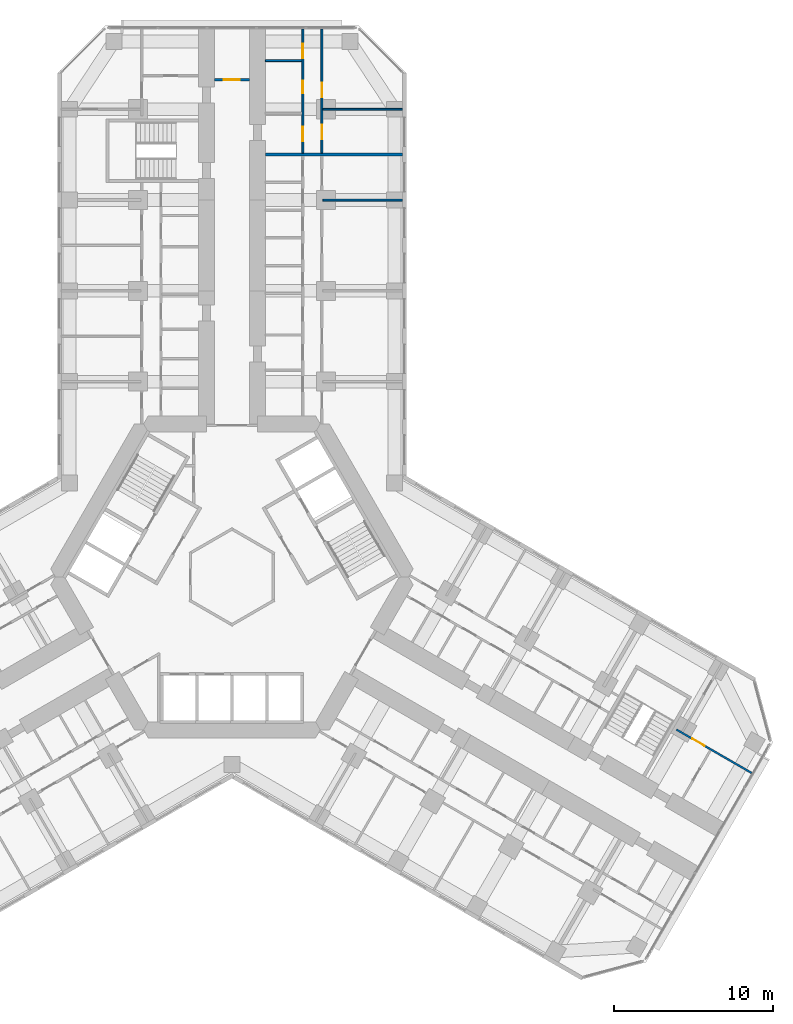
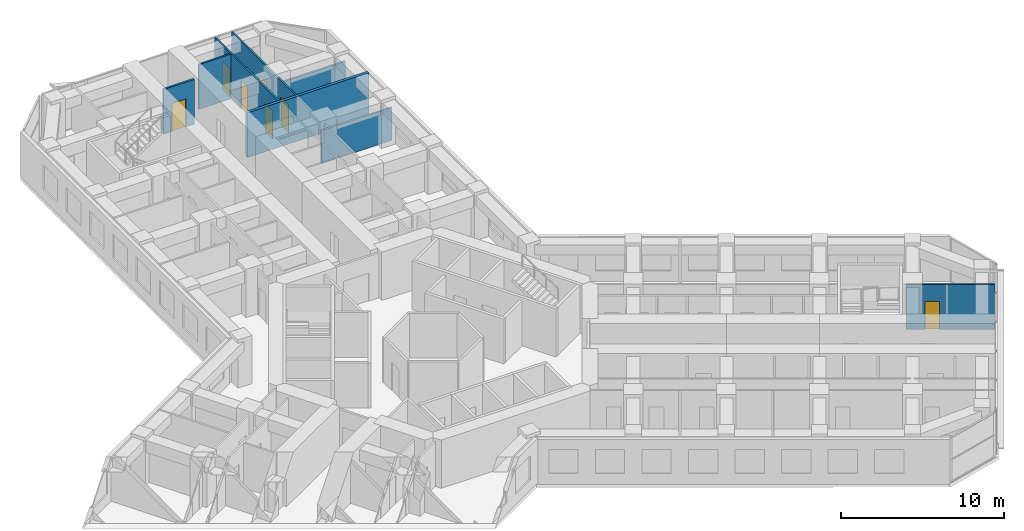
# One storey, part 19 of 21: 8 walls, 7 doors, 7 openings.
"""IFC4 building model written with IfcOpenShell, lengths in metres."""

from ifc_helpers import new_model, si_unit, direction, frame, frame_2d, origin, place, context, subcontext, project, spatial, rectangle, extrude, material, layer, layer_set, type_object, element, fill, save


model = new_model("IFC4")

# Units and contexts
model_context = context("Model", 3, precision=1e-05, world=origin(), true_north=direction((0.0, 1.0)))
body_context = subcontext(model_context, "Body", "Model", "MODEL_VIEW")
ifc_project = project(units=[si_unit("LENGTHUNIT", "METRE"), si_unit("AREAUNIT", "SQUARE_METRE"), si_unit("VOLUMEUNIT", "CUBIC_METRE"), si_unit("PLANEANGLEUNIT", "RADIAN"), si_unit("MASSUNIT", "GRAM", prefix="KILO")], contexts=[model_context])

# Site, building, storey
site_placement = place(None, origin())
site = spatial("IfcSite", under=ifc_project, at=site_placement, CompositionType="ELEMENT")
building_placement = place(site_placement, origin())
building = spatial("IfcBuilding", under=site, at=building_placement, Name="Kosmar Iwan School Tower", CompositionType="ELEMENT")
storey_placement = place(building_placement, frame((0.0, 0.0, 68.199951171875)))
storey = spatial("IfcBuildingStorey", under=building, at=storey_placement, Name="L16", CompositionType="ELEMENT", Elevation=68.199951171875)

# Wall, opening, door
ifc_material_1 = material(Name="Gypsum board on steel studs, fire-rated", Category="steel")
ifc_layer_1 = layer(ifc_material_1, 0.14990234375)
ifc_layer_set_1 = layer_set([ifc_layer_1], Name="Corridor end wall 150")
wall_type_1 = type_object("IfcWallType", Name="Corridor end wall 150", PredefinedType="PARTITIONING", material=ifc_layer_set_1)
wall_1_placement = place(storey_placement, frame((1.10009765625, 31.199951171875, 0.0), z_axis=(0.0, 0.0, 1.0), x_axis=(-1.0, 0.0, 0.0)))
wall_1 = element("IfcWall", 1, at=wall_1_placement, inside=storey, type_object=wall_type_1, Name="Partition L16-A-CE", PredefinedType="PARTITIONING", context=body_context, shape_type="SweptSolid", body=[
    extrude(rectangle(XDim=2.2001953125, YDim=0.14990234375, at=frame_2d((1.10009765625, 0.0))), origin(), (0.0, 0.0, 1.0), 3.35009765625),
])
opening_1_placement = place(wall_1_placement, frame((0.60009765625, 0.0, 0.0)))
opening_1 = element("IfcOpeningElement", 2, at=opening_1_placement, cuts=wall_1, Name="Opening D13", PredefinedType="OPENING", context=body_context, shape_type="SweptSolid", body=[
    extrude(rectangle(XDim=1.0, YDim=2.10009765625, at=frame_2d((0.5, 1.050048828125))), frame((0.0, 0.0869140625, 0.0), z_axis=(0.0, -1.0, 0.0), x_axis=(1.0, 0.0, 0.0)), (0.0, 0.0, 1.0), 0.173828125),
])
ifc_material_2 = material(Name="Timber fire door with vision panel", Category="wood")
door_type_1 = type_object("IfcDoorType", Name="Corridor end door 1000x2100", OperationType="SINGLE_SWING_LEFT", PredefinedType="DOOR", material=ifc_material_2)
door_1_placement = place(opening_1_placement, origin())
door_1 = element("IfcDoor", 3, at=door_1_placement, inside=storey, type_object=door_type_1, Name="Family study room door L16-A", OperationType="SINGLE_SWING_RIGHT", OverallHeight=2.10009765625, OverallWidth=1.0, PredefinedType="DOOR", context=body_context, shape_type="SweptSolid", body=[
    extrude(rectangle(XDim=1.0, YDim=2.10009765625, at=frame_2d((0.5, 1.050048828125))), frame((0.0, 0.02490234375, 0.0), z_axis=(0.0, -1.0, 0.0), x_axis=(1.0, 0.0, 0.0)), (0.0, 0.0, 1.0), 0.050048828125),
])
fill(opening_1, door_1)

# Wall
ifc_material_3 = material(Name="Gypsum board on steel studs", Category="steel")
ifc_layer_2 = layer(ifc_material_3, 0.1201171875)
ifc_layer_set_2 = layer_set([ifc_layer_2], Name="Dwelling partition 120")
wall_type_2 = type_object("IfcWallType", Name="Dwelling partition 120", PredefinedType="PARTITIONING", material=ifc_layer_set_2)
wall_2_placement = place(storey_placement, frame((5.7099609375, 23.64990234375, 0.0), z_axis=(0.0, 0.0, 1.0), x_axis=(1.0, 0.0, 0.0)))
element("IfcWall", 4, at=wall_2_placement, inside=storey, type_object=wall_type_2, Name="Partition L16-AR1-X3", PredefinedType="PARTITIONING", context=body_context, shape_type="SweptSolid", body=[
    extrude(rectangle(XDim=4.989990234375, YDim=0.1201171875, at=frame_2d((2.4951171875, 0.0))), origin(), (0.0, 0.0, 1.0), 2.449951171875),
])

# Wall, openings, doors
wall_3_placement = place(storey_placement, frame((4.449951171875, 26.60009765625, 0.0), z_axis=(0.0, 0.0, 1.0), x_axis=(0.0, 1.0, 0.0)))
wall_3 = element("IfcWall", 5, at=wall_3_placement, inside=storey, type_object=wall_type_2, Name="Partition L16-AR2-W1", PredefinedType="PARTITIONING", context=body_context, shape_type="SweptSolid", body=[
    extrude(rectangle(XDim=7.794921875, YDim=0.1201171875, at=frame_2d((3.8974609375, 0.0))), origin(), (0.0, 0.0, 1.0), 3.35009765625),
])
opening_2_placement = place(wall_3_placement, frame((0.75, 0.0, 0.0)))
opening_2 = element("IfcOpeningElement", 6, at=opening_2_placement, cuts=wall_3, Name="Opening D2", PredefinedType="OPENING", context=body_context, shape_type="SweptSolid", body=[
    extrude(rectangle(XDim=0.89990234375, YDim=2.10009765625, at=frame_2d((0.449951171875, 1.050048828125))), frame((0.0, 0.072021484375, 0.0), z_axis=(0.0, -1.0, 0.0), x_axis=(1.0, 0.0, 0.0)), (0.0, 0.0, 1.0), 0.14404296875),
])
opening_3_placement = place(wall_3_placement, frame((3.75, 0.0, 0.0)))
opening_3 = element("IfcOpeningElement", 7, at=opening_3_placement, cuts=wall_3, Name="Opening D3", PredefinedType="OPENING", context=body_context, shape_type="SweptSolid", body=[
    extrude(rectangle(XDim=0.800048828125, YDim=2.10009765625, at=frame_2d((0.39990234375, 1.050048828125))), frame((0.0, 0.072021484375, 0.0), z_axis=(0.0, -1.0, 0.0), x_axis=(1.0, 0.0, 0.0)), (0.0, 0.0, 1.0), 0.14404296875),
])
opening_4_placement = place(wall_3_placement, frame((5.9599609375, 0.0, 0.0)))
opening_4 = element("IfcOpeningElement", 8, at=opening_4_placement, cuts=wall_3, Name="Opening D2", PredefinedType="OPENING", context=body_context, shape_type="SweptSolid", body=[
    extrude(rectangle(XDim=0.89990234375, YDim=2.10009765625, at=frame_2d((0.449951171875, 1.050048828125))), frame((0.0, 0.072021484375, 0.0), z_axis=(0.0, -1.0, 0.0), x_axis=(1.0, 0.0, 0.0)), (0.0, 0.0, 1.0), 0.14404296875),
])
ifc_material_4 = material(Name="Timber door in timber frame", Category="wood")
door_type_2 = type_object("IfcDoorType", Name="Internal door 900x2100", OperationType="SINGLE_SWING_LEFT", PredefinedType="DOOR", material=ifc_material_4)
door_2_placement = place(opening_2_placement, origin())
door_2 = element("IfcDoor", 9, at=door_2_placement, inside=storey, type_object=door_type_2, Name="Entrance hall door L16-AR2-S1", OperationType="SINGLE_SWING_RIGHT", OverallHeight=2.10009765625, OverallWidth=0.89990234375, PredefinedType="DOOR", context=body_context, shape_type="SweptSolid", body=[
    extrude(rectangle(XDim=0.89990234375, YDim=2.10009765625, at=frame_2d((0.449951171875, 1.050048828125))), frame((0.0, 0.02490234375, 0.0), z_axis=(0.0, -1.0, 0.0), x_axis=(1.0, 0.0, 0.0)), (0.0, 0.0, 1.0), 0.050048828125),
])
fill(opening_2, door_2)
door_3_placement = place(opening_4_placement, origin())
door_3 = element("IfcDoor", 10, at=door_3_placement, inside=storey, type_object=door_type_2, Name="Pantry door L16-AR2-S3", OperationType="SINGLE_SWING_LEFT", OverallHeight=2.10009765625, OverallWidth=0.89990234375, PredefinedType="DOOR", context=body_context, shape_type="SweptSolid", body=[
    extrude(rectangle(XDim=0.89990234375, YDim=2.10009765625, at=frame_2d((0.449951171875, 1.050048828125))), frame((0.0, 0.02490234375, 0.0), z_axis=(0.0, -1.0, 0.0), x_axis=(1.0, 0.0, 0.0)), (0.0, 0.0, 1.0), 0.050048828125),
])
fill(opening_4, door_3)
ifc_material_5 = material(Name="Timber door in timber frame", Category="wood")
door_type_3 = type_object("IfcDoorType", Name="Sanitary room door 800x2100", OperationType="SINGLE_SWING_LEFT", PredefinedType="DOOR", material=ifc_material_5)
door_4_placement = place(opening_3_placement, origin())
door_4 = element("IfcDoor", 11, at=door_4_placement, inside=storey, type_object=door_type_3, Name="Bathroom door L16-AR2-S2", OperationType="SINGLE_SWING_LEFT", OverallHeight=2.10009765625, OverallWidth=0.800048828125, PredefinedType="DOOR", context=body_context, shape_type="SweptSolid", body=[
    extrude(rectangle(XDim=0.800048828125, YDim=2.10009765625, at=frame_2d((0.39990234375, 1.050048828125))), frame((0.0, 0.02490234375, 0.0), z_axis=(0.0, -1.0, 0.0), x_axis=(1.0, 0.0, 0.0)), (0.0, 0.0, 1.0), 0.050048828125),
])
fill(opening_3, door_4)

wall_4_placement = place(storey_placement, frame((5.64990234375, 26.60009765625, 0.0), z_axis=(0.0, 0.0, 1.0), x_axis=(0.0, 1.0, 0.0)))
wall_4 = element("IfcWall", 12, at=wall_4_placement, inside=storey, type_object=wall_type_2, Name="Partition L16-AR2-W2", PredefinedType="PARTITIONING", context=body_context, shape_type="SweptSolid", body=[
    extrude(rectangle(XDim=7.794921875, YDim=0.1201171875, at=frame_2d((3.8974609375, 0.0))), origin(), (0.0, 0.0, 1.0), 3.35009765625),
])
opening_5_placement = place(wall_4_placement, frame((0.875, 0.0, 0.0)))
opening_5 = element("IfcOpeningElement", 13, at=opening_5_placement, cuts=wall_4, Name="Opening D2", PredefinedType="OPENING", context=body_context, shape_type="SweptSolid", body=[
    extrude(rectangle(XDim=0.89990234375, YDim=2.10009765625, at=frame_2d((0.449951171875, 1.050048828125))), frame((0.0, 0.072021484375, 0.0), z_axis=(0.0, -1.0, 0.0), x_axis=(1.0, 0.0, 0.0)), (0.0, 0.0, 1.0), 0.14404296875),
])
opening_6_placement = place(wall_4_placement, frame((3.5, 0.0, 0.0)))
opening_6 = element("IfcOpeningElement", 14, at=opening_6_placement, cuts=wall_4, Name="Opening D2", PredefinedType="OPENING", context=body_context, shape_type="SweptSolid", body=[
    extrude(rectangle(XDim=0.89990234375, YDim=2.10009765625, at=frame_2d((0.449951171875, 1.050048828125))), frame((0.0, 0.072021484375, 0.0), z_axis=(0.0, -1.0, 0.0), x_axis=(1.0, 0.0, 0.0)), (0.0, 0.0, 1.0), 0.14404296875),
])
door_5_placement = place(opening_5_placement, origin())
door_5 = element("IfcDoor", 15, at=door_5_placement, inside=storey, type_object=door_type_2, Name="Bedroom 1 door L16-AR2-F1", OperationType="SINGLE_SWING_LEFT", OverallHeight=2.10009765625, OverallWidth=0.89990234375, PredefinedType="DOOR", context=body_context, shape_type="SweptSolid", body=[
    extrude(rectangle(XDim=0.89990234375, YDim=2.10009765625, at=frame_2d((0.449951171875, 1.050048828125))), frame((0.0, 0.02490234375, 0.0), z_axis=(0.0, -1.0, 0.0), x_axis=(1.0, 0.0, 0.0)), (0.0, 0.0, 1.0), 0.050048828125),
])
fill(opening_5, door_5)
door_6_placement = place(opening_6_placement, origin())
door_6 = element("IfcDoor", 16, at=door_6_placement, inside=storey, type_object=door_type_2, Name="Living room and kitchen door L16-AR2-F2", OperationType="SINGLE_SWING_RIGHT", OverallHeight=2.10009765625, OverallWidth=0.89990234375, PredefinedType="DOOR", context=body_context, shape_type="SweptSolid", body=[
    extrude(rectangle(XDim=0.89990234375, YDim=2.10009765625, at=frame_2d((0.449951171875, 1.050048828125))), frame((0.0, 0.02490234375, 0.0), z_axis=(0.0, -1.0, 0.0), x_axis=(1.0, 0.0, 0.0)), (0.0, 0.0, 1.0), 0.050048828125),
])
fill(opening_6, door_6)

# Walls
wall_5_placement = place(storey_placement, frame((5.7099609375, 29.35009765625, 0.0), z_axis=(0.0, 0.0, 1.0), x_axis=(1.0, 0.0, 0.0)))
element("IfcWall", 17, at=wall_5_placement, inside=storey, type_object=wall_type_2, Name="Partition L16-AR2-X1", PredefinedType="PARTITIONING", context=body_context, shape_type="SweptSolid", body=[
    extrude(rectangle(XDim=4.989990234375, YDim=0.1201171875, at=frame_2d((2.4951171875, 0.0))), origin(), (0.0, 0.0, 1.0), 2.449951171875),
])
wall_6_placement = place(storey_placement, frame((2.10009765625, 32.39990234375, 0.0), z_axis=(0.0, 0.0, 1.0), x_axis=(1.0, 0.0, 0.0)))
element("IfcWall", 18, at=wall_6_placement, inside=storey, type_object=wall_type_2, Name="Partition L16-AR2-Y2", PredefinedType="PARTITIONING", context=body_context, shape_type="SweptSolid", body=[
    extrude(rectangle(XDim=2.289794921875, YDim=0.1201171875, at=frame_2d((1.14501953125, 0.0))), origin(), (0.0, 0.0, 1.0), 3.35009765625),
])

# Wall, opening, door
wall_7_placement = place(storey_placement, frame((27.896484375, -9.58203125, 0.0), z_axis=(0.0, 0.0, 1.0), x_axis=(0.866035508231, -0.499982498177, 0.0)))
wall_7 = element("IfcWall", 19, at=wall_7_placement, inside=storey, type_object=wall_type_2, Name="Partition L16-CL2-TW", PredefinedType="PARTITIONING", context=body_context, shape_type="SweptSolid", body=[
    extrude(rectangle(XDim=5.445068359375, YDim=0.1201171875, at=frame_2d((2.72265625, 0.0))), origin(), (0.0, 0.0, 1.0), 3.35009765625),
])
opening_7_placement = place(wall_7_placement, frame((1.14990234375, 0.0, 0.0)))
opening_7 = element("IfcOpeningElement", 20, at=opening_7_placement, cuts=wall_7, Name="Opening D2", PredefinedType="OPENING", context=body_context, shape_type="SweptSolid", body=[
    extrude(rectangle(XDim=0.89990234375, YDim=2.10009765625, at=frame_2d((0.449951171875, 1.050048828125))), frame((0.0, 0.072021484375, 0.0), z_axis=(0.0, -1.0, 0.0), x_axis=(1.0, 0.0, 0.0)), (0.0, 0.0, 1.0), 0.14404296875),
])
door_7_placement = place(opening_7_placement, origin())
door_7 = element("IfcDoor", 21, at=door_7_placement, inside=storey, type_object=door_type_2, Name="Entrance hall door L16-CL2-T3", OperationType="SINGLE_SWING_LEFT", OverallHeight=2.10009765625, OverallWidth=0.89990234375, PredefinedType="DOOR", context=body_context, shape_type="SweptSolid", body=[
    extrude(rectangle(XDim=0.89990234375, YDim=2.10009765625, at=frame_2d((0.449951171875, 1.050048828125))), frame((0.0, 0.02490234375, 0.0), z_axis=(0.0, -1.0, 0.0), x_axis=(1.0, 0.0, 0.0)), (0.0, 0.0, 1.0), 0.050048828125),
])
fill(opening_7, door_7)

# Wall
ifc_material_6 = material(Name="Concrete block masonry", Category="masonry")
ifc_layer_3 = layer(ifc_material_6, 0.199951171875)
ifc_layer_set_3 = layer_set([ifc_layer_3], Name="Party wall 200")
wall_type_3 = type_object("IfcWallType", Name="Party wall 200", PredefinedType="PARTITIONING", material=ifc_layer_set_3)
wall_8_placement = place(storey_placement, frame((2.10009765625, 26.5, 0.0), z_axis=(0.0, 0.0, 1.0), x_axis=(1.0, 0.0, 0.0)))
element("IfcWall", 22, at=wall_8_placement, inside=storey, type_object=wall_type_3, Name="Partition L16-AR2-PW", PredefinedType="PARTITIONING", context=body_context, shape_type="SweptSolid", body=[
    extrude(rectangle(XDim=8.599853515625, YDim=0.199951171875, at=frame_2d((4.2998046875, 0.0))), origin(), (0.0, 0.0, 1.0), 3.35009765625),
])

save(model, "model.ifc")
